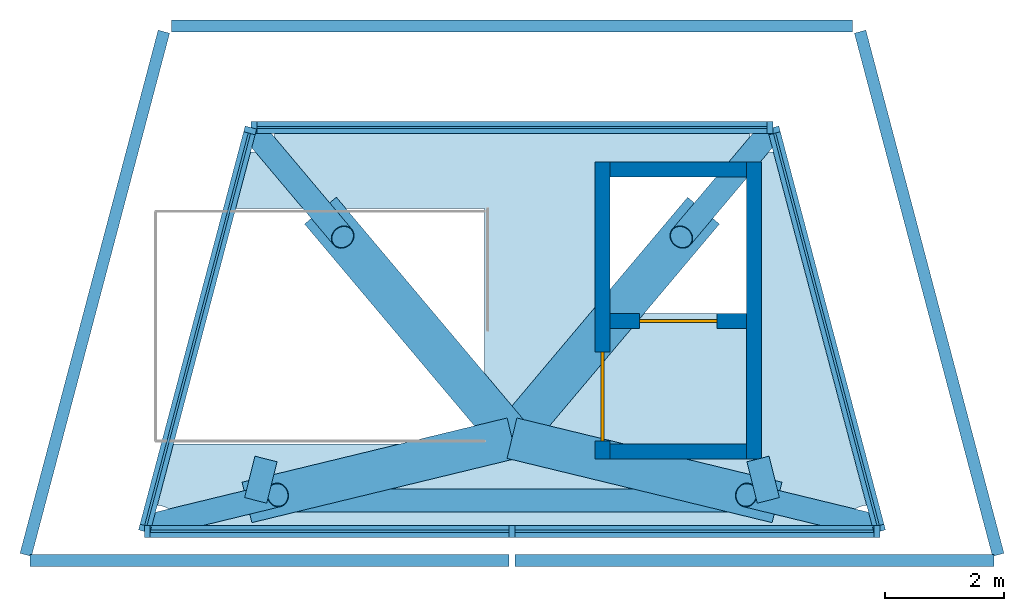
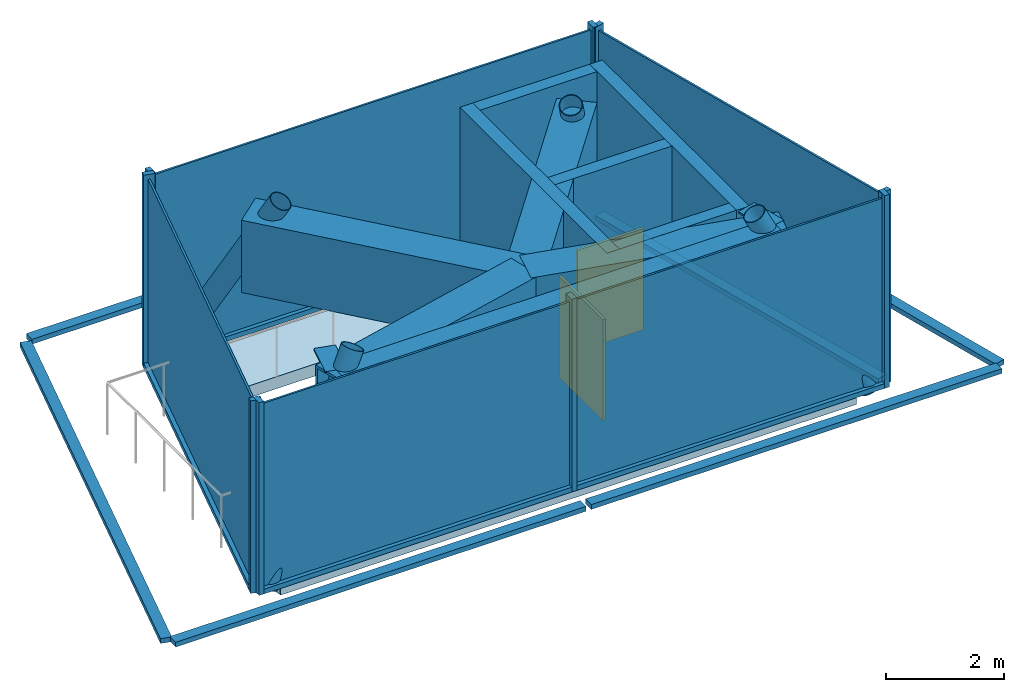
"""IFC4 building model written with IfcOpenShell, lengths in metres."""

from ifc_helpers import new_model, si_unit, direction, frame, frame_2d, origin, origin_2d, place, context, subcontext, project, spatial, polyline, rectangle, hollow_rectangle, hollow_circle, i_section, outline, extrude, material, layer, layer_set, material_profile, profile_set, type_object, element, fill, aggregate, save


model = new_model("IFC4")

# Units and contexts
model_context = context("Model", 3, precision=1e-05, world=origin(), true_north=direction((0.0, 1.0)))
body_context = subcontext(model_context, "Body", "Model", "MODEL_VIEW")
ifc_project = project(units=[si_unit("LENGTHUNIT", "METRE"), si_unit("AREAUNIT", "SQUARE_METRE"), si_unit("VOLUMEUNIT", "CUBIC_METRE"), si_unit("PLANEANGLEUNIT", "RADIAN"), si_unit("MASSUNIT", "GRAM", prefix="KILO")], contexts=[model_context])

# Site, building, storey
site_placement = place(None, origin())
site = spatial("IfcSite", under=ifc_project, at=site_placement, CompositionType="ELEMENT")
building_placement = place(site_placement, origin())
building = spatial("IfcBuilding", under=site, at=building_placement, Name="Quipu Civic Tower", CompositionType="ELEMENT")
storey_1_placement = place(building_placement, frame((0.0, 0.0, 392.0)))
storey_1 = spatial("IfcBuildingStorey", under=building, at=storey_1_placement, Name="L91", CompositionType="ELEMENT", Elevation=392.0)

# Members
ifc_material_1 = material(Name="Steel ASTM A500 Grade C (fy 345 MPa)", Category="steel")
ifc_material_profile_1 = material_profile(ifc_material_1, hollow_circle(Radius=0.203125, WallThickness=0.0126953125, at=origin_2d()), Name="HSS406x12.7")
ifc_profile_set_1 = profile_set([ifc_material_profile_1], Name="Steel ASTM A500 Grade C (fy 345 MPa)")
member_type_1 = type_object("IfcMemberType", Name="Crown leg HSS406x12.7", PredefinedType="BRACE", material=ifc_profile_set_1)
for number, where, z_axis, x_axis, name in (
    (1, (-5.915771484375, -7.53466796875, 0.0), (0.439648984698, 0.106632705339, 0.891817378394), (-0.235706778152, 0.971824220079, 0.0), "Crown leg L91 1"),
    (2, (5.915771484375, -7.53466796875, 0.0), (-0.439648984698, 0.106632705339, 0.891817378394), (-0.235706778152, -0.971824220079, 0.0), "Crown leg L91 2"),
):
    element("IfcMember", number, at=place(storey_1_placement, frame(where, z_axis=z_axis, x_axis=x_axis)), inside=storey_1, type_object=member_type_1, Name=name, PredefinedType="BRACE", context=body_context, shape_type="SweptSolid", body=[
        extrude(hollow_circle(Radius=0.203125, WallThickness=0.0126953125, at=origin_2d()), origin(), (0.0, 0.0, 1.0), 4.485107421875),
    ])
for number, where, z_axis, x_axis, name in (
    (3, (4.275634765625, -1.02099609375, 0.0), (-0.311781792121, -0.370367716403, 0.874997067851), (0.765019891013, -0.644006650862, 0.0), "Crown leg L91 3"),
    (4, (-4.275634765625, -1.02099609375, 0.0), (0.311781792121, -0.370367716403, 0.874997067851), (0.765019891013, 0.644006650862, 0.0), "Crown leg L91 4"),
):
    element("IfcMember", number, at=place(storey_1_placement, frame(where, z_axis=z_axis, x_axis=x_axis)), inside=storey_1, type_object=member_type_1, Name=name, PredefinedType="BRACE", context=body_context, shape_type="SweptSolid", body=[
        extrude(hollow_circle(Radius=0.203125, WallThickness=0.0126953125, at=origin_2d()), origin(), (0.0, 0.0, 1.0), 4.571533203125),
    ])

# Beams
ifc_material_2 = material(Name="Steel ASTM A992 Grade 50 (fy 345 MPa)", Category="steel")
ifc_material_profile_2 = material_profile(ifc_material_2, i_section(OverallWidth=0.384033203125, OverallDepth=0.911865234375, WebThickness=0.019287109375, FlangeThickness=0.031982421875, at=origin_2d()), Name="W920x342")
ifc_profile_set_2 = profile_set([ifc_material_profile_2], Name="Steel ASTM A992 Grade 50 (fy 345 MPa)")
beam_type_1 = type_object("IfcBeamType", Name="Crown ring girder W920x342", PredefinedType="BEAM", material=ifc_profile_set_2)
beam_placement = place(storey_1_placement, frame((-4.31640625, -7.146728515625, 3.244140625), z_axis=(1.0, 0.0, 0.0), x_axis=(0.0, 1.0, 0.0)))
element("IfcBeam", 5, at=beam_placement, inside=storey_1, type_object=beam_type_1, Name="Crown ring girder L91 1 to 2", PredefinedType="BEAM", context=body_context, shape_type="SweptSolid", body=[
    extrude(i_section(OverallWidth=0.384033203125, OverallDepth=0.911865234375, WebThickness=0.019287109375, FlangeThickness=0.031982421875, at=origin_2d()), origin(), (0.0, 0.0, 1.0), 8.6328125),
])
for number, where, z_axis, x_axis, name in (
    (6, (4.31640625, -7.146728515625, 3.244140625), (-0.244294031564, 0.969701204569, 0.0), (-0.969701204569, -0.244294031564, 0.0), "Crown ring girder L91 2 to 3"),
    (7, (-4.140869140625, -6.449951171875, 3.244140625), (-0.244294031564, -0.969701204569, 0.0), (0.969701204569, -0.244294031564, 0.0), "Crown ring girder L91 4 to 1"),
):
    element("IfcBeam", number, at=place(storey_1_placement, frame(where, z_axis=z_axis, x_axis=x_axis)), inside=storey_1, type_object=beam_type_1, Name=name, PredefinedType="BEAM", context=body_context, shape_type="SweptSolid", body=[
        extrude(i_section(OverallWidth=0.384033203125, OverallDepth=0.911865234375, WebThickness=0.019287109375, FlangeThickness=0.031982421875, at=origin_2d()), origin(), (0.0, 0.0, 1.0), 0.718505859375),
    ])

# Curtain wall, members
ifc_material_3 = material(Name="Insulated glass unit", Category="glass")
curtain_wall_type_1 = type_object("IfcCurtainWallType", Name="Crown glass facets CW6", PredefinedType="NOTDEFINED", material=ifc_material_3)
curtain_wall_1_placement = place(storey_1_placement, origin())
curtain_wall_1 = element("IfcCurtainWall", 8, at=curtain_wall_1_placement, inside=storey_1, type_object=curtain_wall_type_1, Name="Crown glass facets CW6 L91 run 1", PredefinedType="NOTDEFINED")
ifc_material_4 = material(Name="Anodised aluminium", Category="aluminium")
ifc_material_profile_3 = material_profile(ifc_material_4, rectangle(XDim=0.199951171875, YDim=0.10009765625, at=origin_2d()), Name="RECT 200x100")
ifc_profile_set_3 = profile_set([ifc_material_profile_3], Name="Anodised aluminium")
member_type_2 = type_object("IfcMemberType", Name="Mullion CW6", PredefinedType="MULLION", material=ifc_profile_set_3)
member_1_placement = place(storey_1_placement, frame((-6.14111328125, -7.669921875, 0.050048828125), z_axis=(0.0, 0.0, 1.0), x_axis=(0.0, 1.0, 0.0)))
member_1 = element("IfcMember", 9, at=member_1_placement, type_object=member_type_2, Name="CW6 mullion 1", PredefinedType="MULLION", context=body_context, shape_type="SweptSolid", body=[
    extrude(rectangle(XDim=0.199951171875, YDim=0.10009765625, at=origin_2d()), origin(), (0.0, 0.0, 1.0), 4.0),
])
member_2_placement = place(storey_1_placement, frame((0.0, -7.669921875, 0.050048828125), z_axis=(0.0, 0.0, 1.0), x_axis=(0.0, 1.0, 0.0)))
member_2 = element("IfcMember", 10, at=member_2_placement, type_object=member_type_2, Name="CW6 mullion 2", PredefinedType="MULLION", context=body_context, shape_type="SweptSolid", body=[
    extrude(rectangle(XDim=0.199951171875, YDim=0.10009765625, at=origin_2d()), origin(), (0.0, 0.0, 1.0), 4.0),
])
member_3_placement = place(storey_1_placement, frame((6.14111328125, -7.669921875, 0.050048828125), z_axis=(0.0, 0.0, 1.0), x_axis=(0.0, 1.0, 0.0)))
member_3 = element("IfcMember", 11, at=member_3_placement, type_object=member_type_2, Name="CW6 mullion 3", PredefinedType="MULLION", context=body_context, shape_type="SweptSolid", body=[
    extrude(rectangle(XDim=0.199951171875, YDim=0.10009765625, at=origin_2d()), origin(), (0.0, 0.0, 1.0), 4.0),
])

curtain_wall_2_placement = place(storey_1_placement, origin())
curtain_wall_2 = element("IfcCurtainWall", 12, at=curtain_wall_2_placement, inside=storey_1, type_object=curtain_wall_type_1, Name="Crown glass facets CW6 L91 run 3", PredefinedType="NOTDEFINED")
member_4_placement = place(storey_1_placement, frame((4.345703125, -0.8701171875, 0.050048828125), z_axis=(0.0, 0.0, 1.0), x_axis=(0.0, -1.0, 0.0)))
member_4 = element("IfcMember", 13, at=member_4_placement, type_object=member_type_2, Name="CW6 mullion 1", PredefinedType="MULLION", context=body_context, shape_type="SweptSolid", body=[
    extrude(rectangle(XDim=0.199951171875, YDim=0.10009765625, at=origin_2d()), origin(), (0.0, 0.0, 1.0), 4.0),
])
member_5_placement = place(storey_1_placement, frame((-4.345703125, -0.8701171875, 0.050048828125), z_axis=(0.0, 0.0, 1.0), x_axis=(0.0, -1.0, 0.0)))
member_5 = element("IfcMember", 14, at=member_5_placement, type_object=member_type_2, Name="CW6 mullion 2", PredefinedType="MULLION", context=body_context, shape_type="SweptSolid", body=[
    extrude(rectangle(XDim=0.199951171875, YDim=0.10009765625, at=origin_2d()), origin(), (0.0, 0.0, 1.0), 4.0),
])

ifc_material_5 = material(Name="Anodised aluminium insulated panel", Category="aluminium")
curtain_wall_type_2 = type_object("IfcCurtainWallType", Name="Insulated infill wall CW6I", PredefinedType="NOTDEFINED", material=ifc_material_5)
curtain_wall_3_placement = place(storey_1_placement, origin())
curtain_wall_3 = element("IfcCurtainWall", 15, at=curtain_wall_3_placement, inside=storey_1, type_object=curtain_wall_type_2, Name="Insulated infill wall CW6I L91 run 2", PredefinedType="NOTDEFINED")
ifc_material_6 = material(Name="Anodised aluminium", Category="aluminium")
ifc_material_profile_4 = material_profile(ifc_material_6, rectangle(XDim=0.199951171875, YDim=0.10009765625, at=origin_2d()), Name="RECT 200x100")
ifc_profile_set_4 = profile_set([ifc_material_profile_4], Name="Anodised aluminium")
member_type_3 = type_object("IfcMemberType", Name="Mullion CW6I", PredefinedType="MULLION", material=ifc_profile_set_4)
member_6_placement = place(storey_1_placement, frame((6.178466796875, -7.62158203125, 0.050048828125), z_axis=(0.0, 0.0, 1.0), x_axis=(-0.966859811167, -0.255307864254, 0.0)))
member_6 = element("IfcMember", 16, at=member_6_placement, type_object=member_type_3, Name="CW6I mullion 1", PredefinedType="MULLION", context=body_context, shape_type="SweptSolid", body=[
    extrude(rectangle(XDim=0.199951171875, YDim=0.10009765625, at=origin_2d()), origin(), (0.0, 0.0, 1.0), 4.0),
])
member_7_placement = place(storey_1_placement, frame((4.408447265625, -0.91845703125, 0.050048828125), z_axis=(0.0, 0.0, 1.0), x_axis=(-0.966859811167, -0.255307864254, 0.0)))
member_7 = element("IfcMember", 17, at=member_7_placement, type_object=member_type_3, Name="CW6I mullion 2", PredefinedType="MULLION", context=body_context, shape_type="SweptSolid", body=[
    extrude(rectangle(XDim=0.199951171875, YDim=0.10009765625, at=origin_2d()), origin(), (0.0, 0.0, 1.0), 4.0),
])

curtain_wall_4_placement = place(storey_1_placement, origin())
curtain_wall_4 = element("IfcCurtainWall", 18, at=curtain_wall_4_placement, inside=storey_1, type_object=curtain_wall_type_2, Name="Insulated infill wall CW6I L91 run 4", PredefinedType="NOTDEFINED")
member_8_placement = place(storey_1_placement, frame((-4.408447265625, -0.91845703125, 0.050048828125), z_axis=(0.0, 0.0, 1.0), x_axis=(0.966859811167, -0.255307864254, 0.0)))
member_8 = element("IfcMember", 19, at=member_8_placement, type_object=member_type_3, Name="CW6I mullion 1", PredefinedType="MULLION", context=body_context, shape_type="SweptSolid", body=[
    extrude(rectangle(XDim=0.199951171875, YDim=0.10009765625, at=origin_2d()), origin(), (0.0, 0.0, 1.0), 4.0),
])
member_9_placement = place(storey_1_placement, frame((-6.178466796875, -7.62158203125, 0.050048828125), z_axis=(0.0, 0.0, 1.0), x_axis=(0.966859811167, -0.255307864254, 0.0)))
member_9 = element("IfcMember", 20, at=member_9_placement, type_object=member_type_3, Name="CW6I mullion 2", PredefinedType="MULLION", context=body_context, shape_type="SweptSolid", body=[
    extrude(rectangle(XDim=0.199951171875, YDim=0.10009765625, at=origin_2d()), origin(), (0.0, 0.0, 1.0), 4.0),
])

# Beams
ifc_material_7 = material(Name="Steel ASTM A572 Grade 50 (fy 345 MPa)", Category="steel")
ifc_material_profile_5 = material_profile(ifc_material_7, hollow_rectangle(XDim=0.699951171875, YDim=1.5, WallThickness=0.050048828125, at=origin_2d()), Name="BX1500x700x50")
ifc_profile_set_5 = profile_set([ifc_material_profile_5], Name="Steel ASTM A572 Grade 50 (fy 345 MPa)")
beam_type_2 = type_object("IfcBeamType", Name="Spire foot beam BX1500x700x50", PredefinedType="BEAM", material=ifc_profile_set_5)
for number, where, z_axis, x_axis, name in (
    (21, (-4.46142578125, -7.181884765625, 2.949951171875), (0.971838665678, 0.235647210661, 0.0), (-0.235647210661, 0.971838665678, 0.0), "Spire foot beam 1"),
    (22, (4.46142578125, -7.181884765625, 2.949951171875), (-0.971838665678, 0.235647210661, 0.0), (-0.235647210661, -0.971838665678, 0.0), "Spire foot beam 2"),
):
    element("IfcBeam", number, at=place(storey_1_placement, frame(where, z_axis=z_axis, x_axis=x_axis)), inside=storey_1, type_object=beam_type_2, Name=name, PredefinedType="BEAM", context=body_context, shape_type="SweptSolid", body=[
        extrude(hollow_rectangle(XDim=0.699951171875, YDim=1.5, WallThickness=0.050048828125, at=origin_2d()), origin(), (0.0, 0.0, 1.0), 4.5908203125),
    ])
for number, where, z_axis, x_axis, name in (
    (23, (3.224609375, -2.26953125, 2.949951171875), (-0.644003605895, -0.765022454307, 0.0), (0.765022454307, -0.644003605895, 0.0), "Spire foot beam 3"),
    (24, (-3.224609375, -2.26953125, 2.949951171875), (0.644003605895, -0.765022454307, 0.0), (0.765022454307, 0.644003605895, 0.0), "Spire foot beam 4"),
):
    element("IfcBeam", number, at=place(storey_1_placement, frame(where, z_axis=z_axis, x_axis=x_axis)), inside=storey_1, type_object=beam_type_2, Name=name, PredefinedType="BEAM", context=body_context, shape_type="SweptSolid", body=[
        extrude(hollow_rectangle(XDim=0.699951171875, YDim=1.5, WallThickness=0.050048828125, at=origin_2d()), origin(), (0.0, 0.0, 1.0), 5.007080078125),
    ])

# Storey
storey_2_placement = place(building_placement, frame((0.0, 0.0, 388.0)))
storey_2 = spatial("IfcBuildingStorey", under=building, at=storey_2_placement, Name="L90", CompositionType="ELEMENT", Elevation=388.0)

# Curtain wall, members
curtain_wall_5_placement = place(storey_2_placement, origin())
curtain_wall_5 = element("IfcCurtainWall", 25, at=curtain_wall_5_placement, inside=storey_2, type_object=curtain_wall_type_1, Name="Crown glass facets CW6 L90 run 1", PredefinedType="NOTDEFINED")
ifc_material_8 = material(Name="Anodised aluminium", Category="aluminium")
ifc_material_profile_6 = material_profile(ifc_material_8, rectangle(XDim=0.199951171875, YDim=0.10009765625, at=origin_2d()), Name="RECT 200x100")
ifc_profile_set_6 = profile_set([ifc_material_profile_6], Name="Anodised aluminium")
member_type_4 = type_object("IfcMemberType", Name="Transom CW6", PredefinedType="USERDEFINED", material=ifc_profile_set_6)
member_10_placement = place(storey_1_placement, frame((-8.11181640625, -8.159912109375, 0.0), z_axis=(1.0, 0.0, 0.0), x_axis=(0.0, 1.0, 0.0)))
member_10 = element("IfcMember", 26, at=member_10_placement, inside=storey_1, type_object=member_type_4, Name="CW6 transom 1.2", ObjectType="TRANSOM", PredefinedType="USERDEFINED", context=body_context, shape_type="SweptSolid", body=[
    extrude(rectangle(XDim=0.199951171875, YDim=0.10009765625, at=origin_2d()), origin(), (0.0, 0.0, 1.0), 8.061767578125),
])
member_11_placement = place(storey_1_placement, frame((0.050048828125, -8.159912109375, 0.0), z_axis=(1.0, 0.0, 0.0), x_axis=(0.0, 1.0, 0.0)))
member_11 = element("IfcMember", 27, at=member_11_placement, inside=storey_1, type_object=member_type_4, Name="CW6 transom 2.2", ObjectType="TRANSOM", PredefinedType="USERDEFINED", context=body_context, shape_type="SweptSolid", body=[
    extrude(rectangle(XDim=0.199951171875, YDim=0.10009765625, at=origin_2d()), origin(), (0.0, 0.0, 1.0), 8.061767578125),
])
aggregate(curtain_wall_5, [member_10, member_11])

# Curtain wall, member
curtain_wall_6_placement = place(storey_2_placement, origin())
curtain_wall_6 = element("IfcCurtainWall", 28, at=curtain_wall_6_placement, inside=storey_2, type_object=curtain_wall_type_1, Name="Crown glass facets CW6 L90 run 3", PredefinedType="NOTDEFINED")
member_12_placement = place(storey_1_placement, frame((5.735107421875, 0.840087890625, 0.0), z_axis=(-1.0, 0.0, 0.0), x_axis=(0.0, -1.0, 0.0)))
member_12 = element("IfcMember", 29, at=member_12_placement, inside=storey_1, type_object=member_type_4, Name="CW6 transom 1.2", ObjectType="TRANSOM", PredefinedType="USERDEFINED", context=body_context, shape_type="SweptSolid", body=[
    extrude(rectangle(XDim=0.199951171875, YDim=0.10009765625, at=origin_2d()), origin(), (0.0, 0.0, 1.0), 11.47021484375),
])
aggregate(curtain_wall_6, [member_12])

# Member
member_13_placement = place(storey_1_placement, frame((-6.09130859375, -7.669921875, 0.10009765625), z_axis=(1.0, 0.0, 0.0), x_axis=(0.0, 1.0, 0.0)))
member_13 = element("IfcMember", 30, at=member_13_placement, type_object=member_type_4, Name="CW6 transom 1.1", ObjectType="TRANSOM", PredefinedType="USERDEFINED", context=body_context, shape_type="SweptSolid", body=[
    extrude(rectangle(XDim=0.199951171875, YDim=0.10009765625, at=origin_2d()), origin(), (0.0, 0.0, 1.0), 6.041259765625),
])

member_14_placement = place(storey_1_placement, frame((0.050048828125, -7.669921875, 0.10009765625), z_axis=(1.0, 0.0, 0.0), x_axis=(0.0, 1.0, 0.0)))
member_14 = element("IfcMember", 31, at=member_14_placement, type_object=member_type_4, Name="CW6 transom 2.1", ObjectType="TRANSOM", PredefinedType="USERDEFINED", context=body_context, shape_type="SweptSolid", body=[
    extrude(rectangle(XDim=0.199951171875, YDim=0.10009765625, at=origin_2d()), origin(), (0.0, 0.0, 1.0), 6.041259765625),
])

member_15_placement = place(storey_1_placement, frame((4.295654296875, -0.8701171875, 0.10009765625), z_axis=(-1.0, 0.0, 0.0), x_axis=(0.0, -1.0, 0.0)))
member_15 = element("IfcMember", 32, at=member_15_placement, type_object=member_type_4, Name="CW6 transom 1.1", ObjectType="TRANSOM", PredefinedType="USERDEFINED", context=body_context, shape_type="SweptSolid", body=[
    extrude(rectangle(XDim=0.199951171875, YDim=0.10009765625, at=origin_2d()), origin(), (0.0, 0.0, 1.0), 8.59130859375),
])

# Curtain wall, member
curtain_wall_7_placement = place(storey_2_placement, origin())
curtain_wall_7 = element("IfcCurtainWall", 33, at=curtain_wall_7_placement, inside=storey_2, type_object=curtain_wall_type_2, Name="Insulated infill wall CW6I L90 run 2", PredefinedType="NOTDEFINED")
ifc_material_9 = material(Name="Anodised aluminium", Category="aluminium")
ifc_material_profile_7 = material_profile(ifc_material_9, rectangle(XDim=0.199951171875, YDim=0.10009765625, at=origin_2d()), Name="RECT 200x100")
ifc_profile_set_7 = profile_set([ifc_material_profile_7], Name="Anodised aluminium")
member_type_5 = type_object("IfcMemberType", Name="Transom CW6I", PredefinedType="USERDEFINED", material=ifc_profile_set_7)
member_16_placement = place(storey_1_placement, frame((8.186279296875, -8.063232421875, 0.0), z_axis=(-0.255329666158, 0.966854053919, 0.0), x_axis=(-0.966854053919, -0.255329666158, 0.0)))
member_16 = element("IfcMember", 34, at=member_16_placement, inside=storey_1, type_object=member_type_5, Name="CW6I transom 1.2", ObjectType="TRANSOM", PredefinedType="USERDEFINED", context=body_context, shape_type="SweptSolid", body=[
    extrude(rectangle(XDim=0.199951171875, YDim=0.10009765625, at=origin_2d()), origin(), (0.0, 0.0, 1.0), 9.108642578125),
])
aggregate(curtain_wall_7, [member_16])

curtain_wall_8_placement = place(storey_2_placement, origin())
curtain_wall_8 = element("IfcCurtainWall", 35, at=curtain_wall_8_placement, inside=storey_2, type_object=curtain_wall_type_2, Name="Insulated infill wall CW6I L90 run 4", PredefinedType="NOTDEFINED")
member_17_placement = place(storey_1_placement, frame((-5.860595703125, 0.743408203125, 0.0), z_axis=(-0.255329666158, -0.966854053919, 0.0), x_axis=(0.966854053919, -0.255329666158, 0.0)))
member_17 = element("IfcMember", 36, at=member_17_placement, inside=storey_1, type_object=member_type_5, Name="CW6I transom 1.2", ObjectType="TRANSOM", PredefinedType="USERDEFINED", context=body_context, shape_type="SweptSolid", body=[
    extrude(rectangle(XDim=0.199951171875, YDim=0.10009765625, at=origin_2d()), origin(), (0.0, 0.0, 1.0), 9.108642578125),
])
aggregate(curtain_wall_8, [member_17])

# Member
member_18_placement = place(storey_1_placement, frame((6.165771484375, -7.5732421875, 0.10009765625), z_axis=(-0.255326843877, 0.966854799231, 0.0), x_axis=(-0.966854799231, -0.255326843877, 0.0)))
member_18 = element("IfcMember", 37, at=member_18_placement, type_object=member_type_5, Name="CW6I transom 1.1", ObjectType="TRANSOM", PredefinedType="USERDEFINED", context=body_context, shape_type="SweptSolid", body=[
    extrude(rectangle(XDim=0.199951171875, YDim=0.10009765625, at=origin_2d()), origin(), (0.0, 0.0, 1.0), 6.8330078125),
])

member_19_placement = place(storey_1_placement, frame((-4.421142578125, -0.966796875, 0.10009765625), z_axis=(-0.255326843877, -0.966854799231, 0.0), x_axis=(0.966854799231, -0.255326843877, 0.0)))
member_19 = element("IfcMember", 38, at=member_19_placement, type_object=member_type_5, Name="CW6I transom 1.1", ObjectType="TRANSOM", PredefinedType="USERDEFINED", context=body_context, shape_type="SweptSolid", body=[
    extrude(rectangle(XDim=0.199951171875, YDim=0.10009765625, at=origin_2d()), origin(), (0.0, 0.0, 1.0), 6.8330078125),
])

# Slab
ifc_material_10 = material(Name="Concrete C40/50", Category="concrete")
ifc_layer_1 = layer(ifc_material_10, 0.25)
ifc_layer_set_1 = layer_set([ifc_layer_1], Name="Concrete C40/50")
slab_type = type_object("IfcSlabType", Name="Crown floor slab 250 C40/50", PredefinedType="FLOOR", material=ifc_layer_set_1)
slab_placement = place(storey_1_placement, frame((0.0, 0.0, -0.25)))
element("IfcSlab", 39, at=slab_placement, inside=storey_1, type_object=slab_type, Name="Crown floor slab L91", PredefinedType="FLOOR", context=body_context, shape_type="SweptSolid", body=[
    extrude(outline(polyline([(-5.655029296875, -7.550048828125), (-5.679931640625, -7.425048828125), (-5.7099609375, -7.3701171875), (-5.77490234375, -7.300048828125), (-5.824951171875, -7.264892578125), (-5.9150390625, -7.235107421875), (-5.969970703125, -7.22998046875), (-5.699951171875, -6.195068359375), (-0.465087890625, -6.195068359375), (-0.465087890625, -2.235107421875), (-4.655029296875, -2.235107421875), (-4.39990234375, -1.280029296875), (-4.320068359375, -1.2900390625), (-4.22509765625, -1.27490234375), (-4.139892578125, -1.235107421875), (-4.094970703125, -1.195068359375), (-4.0400390625, -1.1201171875), (-4.0048828125, -1.030029296875), (-4.0, -0.969970703125), (4.0, -0.969970703125), (4.0048828125, -1.030029296875), (4.0400390625, -1.1201171875), (4.094970703125, -1.195068359375), (4.139892578125, -1.235107421875), (4.22509765625, -1.27490234375), (4.320068359375, -1.2900390625), (4.39990234375, -1.280029296875), (5.969970703125, -7.22998046875), (5.9150390625, -7.235107421875), (5.824951171875, -7.264892578125), (5.77490234375, -7.300048828125), (5.72998046875, -7.344970703125), (5.679931640625, -7.425048828125), (5.669921875, -7.455078125), (5.655029296875, -7.550048828125), (5.659912109375, -7.570068359375), (-5.659912109375, -7.570068359375), (-5.655029296875, -7.550048828125)]), holes=[polyline([(3.949951171875, -1.699951171875), (1.64990234375, -1.699951171875), (1.64990234375, -4.0), (3.949951171875, -4.0), (3.949951171875, -1.699951171875)])]), origin(), (0.0, 0.0, 1.0), 0.25),
])

# Plate
ifc_material_11 = material(Name="Insulated glass unit", Category="glass")
ifc_layer_2 = layer(ifc_material_11, 0.0400390625)
ifc_layer_set_2 = layer_set([ifc_layer_2], Name="Insulated glass unit")
plate_type_1 = type_object("IfcPlateType", Name="Glass panel CW6", PredefinedType="CURTAIN_PANEL", material=ifc_layer_set_2)
plate_1_placement = place(storey_1_placement, frame((-3.070556640625, -7.669921875, 0.14990234375), z_axis=(0.0, 0.0, 1.0), x_axis=(1.0, 0.0, 0.0)))
plate_1 = element("IfcPlate", 40, at=plate_1_placement, type_object=plate_type_1, Name="CW6 panel 1.1", PredefinedType="CURTAIN_PANEL", context=body_context, shape_type="SweptSolid", body=[
    extrude(rectangle(XDim=6.041259765625, YDim=0.0400390625, at=origin_2d()), origin(), (0.0, 0.0, 1.0), 3.800048828125),
])

plate_2_placement = place(storey_1_placement, frame((3.070556640625, -7.669921875, 0.14990234375), z_axis=(0.0, 0.0, 1.0), x_axis=(1.0, 0.0, 0.0)))
plate_2 = element("IfcPlate", 41, at=plate_2_placement, type_object=plate_type_1, Name="CW6 panel 2.1", PredefinedType="CURTAIN_PANEL", context=body_context, shape_type="SweptSolid", body=[
    extrude(rectangle(XDim=6.041259765625, YDim=0.0400390625, at=origin_2d()), origin(), (0.0, 0.0, 1.0), 3.800048828125),
])

aggregate(curtain_wall_1, [member_1, member_2, member_3, member_13, plate_1, member_14, plate_2])

plate_3_placement = place(storey_1_placement, frame((0.0, -0.8701171875, 0.14990234375), z_axis=(0.0, 0.0, 1.0), x_axis=(-1.0, 0.0, 0.0)))
plate_3 = element("IfcPlate", 42, at=plate_3_placement, type_object=plate_type_1, Name="CW6 panel 1.1", PredefinedType="CURTAIN_PANEL", context=body_context, shape_type="SweptSolid", body=[
    extrude(rectangle(XDim=8.59130859375, YDim=0.0400390625, at=origin_2d()), origin(), (0.0, 0.0, 1.0), 3.800048828125),
])

aggregate(curtain_wall_2, [member_4, member_5, member_15, plate_3])

ifc_material_12 = material(Name="Anodised aluminium insulated panel", Category="aluminium")
ifc_layer_3 = layer(ifc_material_12, 0.0400390625)
ifc_layer_set_3 = layer_set([ifc_layer_3], Name="Anodised aluminium insulated panel")
plate_type_2 = type_object("IfcPlateType", Name="Insulated panel CW6I", PredefinedType="CURTAIN_PANEL", material=ifc_layer_set_3)
plate_4_placement = place(storey_1_placement, frame((5.29345703125, -4.27001953125, 0.14990234375), z_axis=(0.0, 0.0, 1.0), x_axis=(-0.255307864254, 0.966859811167, 0.0)))
plate_4 = element("IfcPlate", 43, at=plate_4_placement, type_object=plate_type_2, Name="CW6I panel 1.1", PredefinedType="CURTAIN_PANEL", context=body_context, shape_type="SweptSolid", body=[
    extrude(rectangle(XDim=6.8330078125, YDim=0.0400390625, at=origin_2d()), origin(), (0.0, 0.0, 1.0), 3.800048828125),
])

aggregate(curtain_wall_3, [member_6, member_7, member_18, plate_4])

plate_5_placement = place(storey_1_placement, frame((-5.29345703125, -4.27001953125, 0.14990234375), z_axis=(0.0, 0.0, 1.0), x_axis=(-0.255307864254, -0.966859811167, 0.0)))
plate_5 = element("IfcPlate", 44, at=plate_5_placement, type_object=plate_type_2, Name="CW6I panel 1.1", PredefinedType="CURTAIN_PANEL", context=body_context, shape_type="SweptSolid", body=[
    extrude(rectangle(XDim=6.8330078125, YDim=0.0400390625, at=origin_2d()), origin(), (0.0, 0.0, 1.0), 3.800048828125),
])

aggregate(curtain_wall_4, [member_8, member_9, member_19, plate_5])

# Wall, opening, door
ifc_material_13 = material(Name="Concrete C70/85", Category="concrete")
ifc_layer_4 = layer(ifc_material_13, 0.25)
ifc_layer_set_4 = layer_set([ifc_layer_4], Name="Concrete C70/85")
wall_type = type_object("IfcWallType", Name="Core wall 250", PredefinedType="SHEAR", material=ifc_layer_set_4)
wall_1_placement = place(storey_1_placement, frame((1.52490234375, -6.449951171875, 0.0), z_axis=(0.0, 0.0, 1.0), x_axis=(0.0, 1.0, 0.0)))
wall_1 = element("IfcWall", 45, at=wall_1_placement, inside=storey_1, type_object=wall_type, Name="Core wall", PredefinedType="SHEAR", context=body_context, shape_type="SweptSolid", body=[
    extrude(rectangle(XDim=5.0, YDim=0.25, at=frame_2d((2.5, 0.0))), origin(), (0.0, 0.0, 1.0), 3.699951171875),
])
opening_1_placement = place(wall_1_placement, frame((0.300048828125, 0.0, 0.0)))
opening_1 = element("IfcOpeningElement", 46, at=opening_1_placement, cuts=wall_1, Name="Opening CD-01", PredefinedType="OPENING", context=body_context, shape_type="SweptSolid", body=[
    extrude(rectangle(XDim=1.5, YDim=2.10009765625, at=frame_2d((0.75, 1.050048828125))), frame((0.0, 0.135009765625, 0.0), z_axis=(0.0, -1.0, 0.0), x_axis=(1.0, 0.0, 0.0)), (0.0, 0.0, 1.0), 0.27001953125),
])
ifc_material_14 = material(Name="Fire rated steel door", Category="steel")
door_type_1 = type_object("IfcDoorType", Name="Fire door FD90 double 1500 x 2100", OperationType="NOTDEFINED", PredefinedType="DOOR", material=ifc_material_14)
door_1_placement = place(opening_1_placement, origin())
door_1 = element("IfcDoor", 47, at=door_1_placement, inside=storey_1, type_object=door_type_1, Name="Door", OperationType="DOUBLE_DOOR_SINGLE_SWING", OverallHeight=2.10009765625, OverallWidth=1.5, PredefinedType="DOOR", context=body_context, shape_type="SweptSolid", body=[
    extrude(rectangle(XDim=1.5, YDim=2.10009765625, at=frame_2d((0.75, 1.050048828125))), frame((0.0, 0.02490234375, 0.0), z_axis=(0.0, -1.0, 0.0), x_axis=(1.0, 0.0, 0.0)), (0.0, 0.0, 1.0), 0.050048828125),
])
fill(opening_1, door_1)

# Walls
wall_2_placement = place(storey_1_placement, frame((1.64990234375, -6.324951171875, 0.0), z_axis=(0.0, 0.0, 1.0), x_axis=(1.0, 0.0, 0.0)))
element("IfcWall", 48, at=wall_2_placement, inside=storey_1, type_object=wall_type, Name="Core wall", PredefinedType="SHEAR", context=body_context, shape_type="SweptSolid", body=[
    extrude(rectangle(XDim=2.300048828125, YDim=0.25, at=frame_2d((1.14990234375, 0.0))), origin(), (0.0, 0.0, 1.0), 3.699951171875),
])
wall_3_placement = place(storey_1_placement, frame((4.074951171875, -6.449951171875, 0.0), z_axis=(0.0, 0.0, 1.0), x_axis=(0.0, 1.0, 0.0)))
element("IfcWall", 49, at=wall_3_placement, inside=storey_1, type_object=wall_type, Name="Core wall", PredefinedType="SHEAR", context=body_context, shape_type="SweptSolid", body=[
    extrude(rectangle(XDim=5.0, YDim=0.25, at=frame_2d((2.5, 0.0))), origin(), (0.0, 0.0, 1.0), 3.699951171875),
])

# Wall, opening, door
wall_4_placement = place(storey_1_placement, frame((1.64990234375, -4.125, 0.0), z_axis=(0.0, 0.0, 1.0), x_axis=(1.0, 0.0, 0.0)))
wall_4 = element("IfcWall", 50, at=wall_4_placement, inside=storey_1, type_object=wall_type, Name="Core wall", PredefinedType="SHEAR", context=body_context, shape_type="SweptSolid", body=[
    extrude(rectangle(XDim=2.300048828125, YDim=0.25, at=frame_2d((1.14990234375, 0.0))), origin(), (0.0, 0.0, 1.0), 3.699951171875),
])
opening_2_placement = place(wall_4_placement, frame((0.5, 0.0, 0.0)))
opening_2 = element("IfcOpeningElement", 51, at=opening_2_placement, cuts=wall_4, Name="Opening LD-FF3", PredefinedType="OPENING", context=body_context, shape_type="SweptSolid", body=[
    extrude(rectangle(XDim=1.300048828125, YDim=2.10009765625, at=frame_2d((0.64990234375, 1.050048828125))), frame((0.0, 0.135009765625, 0.0), z_axis=(0.0, -1.0, 0.0), x_axis=(1.0, 0.0, 0.0)), (0.0, 0.0, 1.0), 0.27001953125),
])
ifc_material_15 = material(Name="Stainless steel", Category="steel")
door_type_2 = type_object("IfcDoorType", Name="Lift landing door 1300 x 2100", OperationType="DOUBLE_DOOR_SLIDING", PredefinedType="DOOR", material=ifc_material_15)
door_2_placement = place(opening_2_placement, origin())
door_2 = element("IfcDoor", 52, at=door_2_placement, inside=storey_1, type_object=door_type_2, Name="Landing door FF3", OperationType="DOUBLE_DOOR_SLIDING", OverallHeight=2.10009765625, OverallWidth=1.300048828125, PredefinedType="DOOR", context=body_context, shape_type="SweptSolid", body=[
    extrude(rectangle(XDim=1.300048828125, YDim=2.10009765625, at=frame_2d((0.64990234375, 1.050048828125))), frame((0.0, 0.02490234375, 0.0), z_axis=(0.0, -1.0, 0.0), x_axis=(1.0, 0.0, 0.0)), (0.0, 0.0, 1.0), 0.050048828125),
])
fill(opening_2, door_2)

# Wall
wall_5_placement = place(storey_1_placement, frame((1.64990234375, -1.574951171875, 0.0), z_axis=(0.0, 0.0, 1.0), x_axis=(1.0, 0.0, 0.0)))
element("IfcWall", 53, at=wall_5_placement, inside=storey_1, type_object=wall_type, Name="Core wall", PredefinedType="SHEAR", context=body_context, shape_type="SweptSolid", body=[
    extrude(rectangle(XDim=2.300048828125, YDim=0.25, at=frame_2d((1.14990234375, 0.0))), origin(), (0.0, 0.0, 1.0), 3.699951171875),
])

save(model, "model.ifc")
